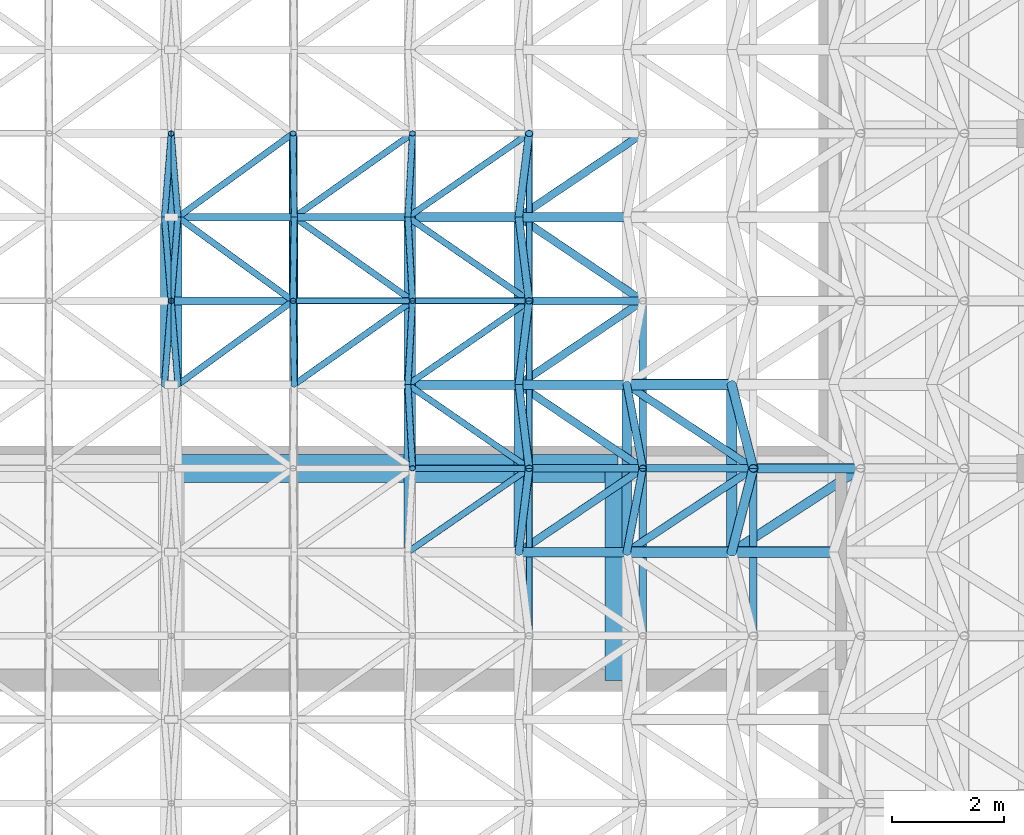
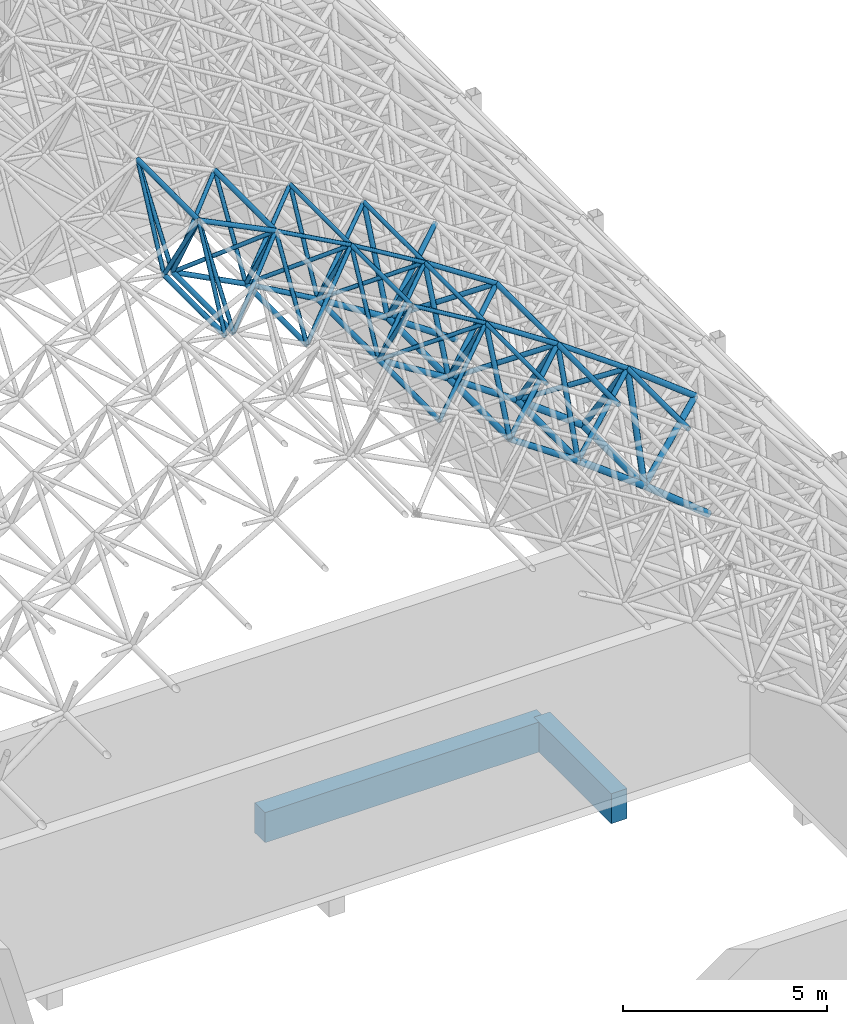
# One storey, part 20 of 141: 78 members, 2 beams.
"""IFC4 building model written with IfcOpenShell, lengths in metres."""

from ifc_helpers import new_model, si_unit, direction, frame, origin, origin_2d, place, context, subcontext, project, spatial, rectangle, hollow_circle, extrude, material, material_profile, profile_set, type_object, element, save


model = new_model("IFC4")

# Units and contexts
model_context = context("Model", 3, precision=1e-05, world=origin(), true_north=direction((0.0, 1.0)))
body_context = subcontext(model_context, "Body", "Model", "MODEL_VIEW")
ifc_project = project(units=[si_unit("LENGTHUNIT", "METRE"), si_unit("AREAUNIT", "SQUARE_METRE"), si_unit("VOLUMEUNIT", "CUBIC_METRE"), si_unit("PLANEANGLEUNIT", "RADIAN"), si_unit("MASSUNIT", "GRAM", prefix="KILO")], contexts=[model_context])

# Site, building, storey
site_placement = place(None, origin())
site = spatial("IfcSite", under=ifc_project, at=site_placement, CompositionType="ELEMENT")
building_placement = place(site_placement, origin())
building = spatial("IfcBuilding", under=site, at=building_placement, Name="Lantern Court Media Centre", CompositionType="ELEMENT")
storey_placement = place(building_placement, frame((0.0, 0.0, 9.60009765625)))
storey = spatial("IfcBuildingStorey", under=building, at=storey_placement, Name="L02", CompositionType="ELEMENT", Elevation=9.60009765625)

# Members
ifc_material_1 = material(Name="Steel S355J2 (EN 10025-2)", Category="steel")
ifc_material_profile_1 = material_profile(ifc_material_1, hollow_circle(Radius=0.06982421875, WallThickness=0.0048828125, at=origin_2d()), Name="Cinema Hall bottom CHS 139.7x5")
ifc_profile_set_1 = profile_set([ifc_material_profile_1], Name="Steel S355J2 (EN 10025-2)")
member_type_1 = type_object("IfcMemberType", Name="Cinema Hall bottom CHS 139.7x5", PredefinedType="CHORD", material=ifc_profile_set_1)
for number, where, z_axis, x_axis, name in (
    (1, (15.87939453125, 17.5, 13.298583984375), (0.0, 1.0, 0.0), (-1.0, 0.0, 0.0), "Cinema Hall bottom chord 08-07"),
    (2, (16.12060546875, 17.5, 13.298583984375), (0.0, 1.0, 0.0), (-1.0, 0.0, 0.0), "Cinema Hall bottom chord 09-07"),
):
    element("IfcMember", number, at=place(storey_placement, frame(where, z_axis=z_axis, x_axis=x_axis)), inside=storey, type_object=member_type_1, Name=name, PredefinedType="CHORD", context=body_context, shape_type="SweptSolid", body=[
        extrude(hollow_circle(Radius=0.06982421875, WallThickness=0.0048828125, at=origin_2d()), origin(), (0.0, 0.0, 1.0), 3.0),
    ])
ifc_material_profile_2 = material_profile(ifc_material_1, hollow_circle(Radius=0.06982421875, WallThickness=0.00634765625, at=origin_2d()), Name="Cinema Hall bottom CHS 139.7x6.3")
ifc_profile_set_2 = profile_set([ifc_material_profile_2], Name="Steel S355J2 (EN 10025-2)")
member_type_2 = type_object("IfcMemberType", Name="Cinema Hall bottom CHS 139.7x6.3", PredefinedType="CHORD", material=ifc_profile_set_2)
for number, where, z_axis, x_axis, name in (
    (3, (20.23974609375, 14.5, 11.04443359375), (0.0, 1.0, 0.0), (-1.0, 0.0, 0.0), "Cinema Hall bottom chord 11-06"),
    (4, (18.203125, 17.5, 12.21337890625), (0.0, 1.0, 0.0), (-1.0, 0.0, 0.0), "Cinema Hall bottom chord 10-07"),
    (5, (20.23974609375, 17.5, 11.04443359375), (0.0, 1.0, 0.0), (-1.0, 0.0, 0.0), "Cinema Hall bottom chord 11-07"),
):
    element("IfcMember", number, at=place(storey_placement, frame(where, z_axis=z_axis, x_axis=x_axis)), inside=storey, type_object=member_type_2, Name=name, PredefinedType="CHORD", context=body_context, shape_type="SweptSolid", body=[
        extrude(hollow_circle(Radius=0.06982421875, WallThickness=0.00634765625, at=origin_2d()), origin(), (0.0, 0.0, 1.0), 3.0),
    ])
member_1_placement = place(storey_placement, frame((16.12060546875, 20.5, 13.298583984375), z_axis=(0.88681645353, 0.0, -0.462121821329), x_axis=(0.0, 1.0, 0.0)))
element("IfcMember", 6, at=member_1_placement, inside=storey, type_object=member_type_2, Name="Cinema Hall bottom chord 09-08 across", PredefinedType="CHORD", context=body_context, shape_type="SweptSolid", body=[
    extrude(hollow_circle(Radius=0.06982421875, WallThickness=0.00634765625, at=origin_2d()), origin(), (0.0, 0.0, 1.0), 2.348388671875),
])
member_2_placement = place(storey_placement, frame((18.203125, 20.5, 12.21337890625), z_axis=(0.867294659253, 0.0, -0.497795112503), x_axis=(0.0, 1.0, 0.0)))
element("IfcMember", 7, at=member_2_placement, inside=storey, type_object=member_type_2, Name="Cinema Hall bottom chord 10-08 across", PredefinedType="CHORD", context=body_context, shape_type="SweptSolid", body=[
    extrude(hollow_circle(Radius=0.06982421875, WallThickness=0.00634765625, at=origin_2d()), origin(), (0.0, 0.0, 1.0), 2.34814453125),
])
ifc_material_profile_3 = material_profile(ifc_material_1, hollow_circle(Radius=0.084228515625, WallThickness=0.00634765625, at=origin_2d()), Name="Cinema Hall bottom CHS 168.3x6.3")
ifc_profile_set_3 = profile_set([ifc_material_profile_3], Name="Steel S355J2 (EN 10025-2)")
member_type_3 = type_object("IfcMemberType", Name="Cinema Hall bottom CHS 168.3x6.3", PredefinedType="CHORD", material=ifc_profile_set_3)
for number, where, z_axis, x_axis, name in (
    (8, (22.227294921875, 14.5, 9.7939453125), (0.0, 1.0, 0.0), (-1.0, 0.0, 0.0), "Cinema Hall bottom chord 12-06"),
    (9, (22.227294921875, 17.5, 9.7939453125), (0.0, 1.0, 0.0), (-1.0, 0.0, 0.0), "Cinema Hall bottom chord 12-07"),
):
    element("IfcMember", number, at=place(storey_placement, frame(where, z_axis=z_axis, x_axis=x_axis)), inside=storey, type_object=member_type_3, Name=name, PredefinedType="CHORD", context=body_context, shape_type="SweptSolid", body=[
        extrude(hollow_circle(Radius=0.084228515625, WallThickness=0.00634765625, at=origin_2d()), origin(), (0.0, 0.0, 1.0), 3.0),
    ])
for number, where, z_axis, x_axis, name in (
    (10, (20.23974609375, 17.5, 11.04443359375), (0.846411623189, 0.0, -0.532529214344), (0.0, 1.0, 0.0), "Cinema Hall bottom chord 11-07 across"),
    (11, (20.23974609375, 20.5, 11.04443359375), (0.846411623189, 0.0, -0.532529214344), (0.0, 1.0, 0.0), "Cinema Hall bottom chord 11-08 across"),
):
    element("IfcMember", number, at=place(storey_placement, frame(where, z_axis=z_axis, x_axis=x_axis)), inside=storey, type_object=member_type_3, Name=name, PredefinedType="CHORD", context=body_context, shape_type="SweptSolid", body=[
        extrude(hollow_circle(Radius=0.084228515625, WallThickness=0.00634765625, at=origin_2d()), origin(), (0.0, 0.0, 1.0), 2.34814453125),
    ])
ifc_material_profile_4 = material_profile(ifc_material_1, hollow_circle(Radius=0.084228515625, WallThickness=0.008056640625, at=origin_2d()), Name="Cinema Hall bottom CHS 168.3x8")
ifc_profile_set_4 = profile_set([ifc_material_profile_4], Name="Steel S355J2 (EN 10025-2)")
member_type_4 = type_object("IfcMemberType", Name="Cinema Hall bottom CHS 168.3x8", PredefinedType="CHORD", material=ifc_profile_set_4)
member_3_placement = place(storey_placement, frame((24.162353515625, 14.5, 8.463623046875), z_axis=(0.0, 1.0, 0.0), x_axis=(-1.0, 0.0, 0.0)))
element("IfcMember", 12, at=member_3_placement, inside=storey, type_object=member_type_4, Name="Cinema Hall bottom chord 13-06", PredefinedType="CHORD", context=body_context, shape_type="SweptSolid", body=[
    extrude(hollow_circle(Radius=0.084228515625, WallThickness=0.008056640625, at=origin_2d()), origin(), (0.0, 0.0, 1.0), 3.0),
])
for number, where, z_axis, x_axis, name in (
    (13, (22.227294921875, 14.5, 9.7939453125), (0.824047991233, 0.0, -0.56651999801), (0.0, 1.0, 0.0), "Cinema Hall bottom chord 12-06 across"),
    (14, (22.227294921875, 17.5, 9.7939453125), (0.824047991233, 0.0, -0.56651999801), (0.0, 1.0, 0.0), "Cinema Hall bottom chord 12-07 across"),
    (15, (22.227294921875, 20.5, 9.7939453125), (0.824047991233, 0.0, -0.56651999801), (0.0, 1.0, 0.0), "Cinema Hall bottom chord 12-08 across"),
):
    element("IfcMember", number, at=place(storey_placement, frame(where, z_axis=z_axis, x_axis=x_axis)), inside=storey, type_object=member_type_4, Name=name, PredefinedType="CHORD", context=body_context, shape_type="SweptSolid", body=[
        extrude(hollow_circle(Radius=0.084228515625, WallThickness=0.008056640625, at=origin_2d()), origin(), (0.0, 0.0, 1.0), 2.34814453125),
    ])
ifc_material_profile_5 = material_profile(ifc_material_1, hollow_circle(Radius=0.096923828125, WallThickness=0.010009765625, at=origin_2d()), Name="Cinema Hall bottom CHS 193.7x10")
ifc_profile_set_5 = profile_set([ifc_material_profile_5], Name="Steel S355J2 (EN 10025-2)")
member_type_5 = type_object("IfcMemberType", Name="Cinema Hall bottom CHS 193.7x10", PredefinedType="CHORD", material=ifc_profile_set_5)
member_4_placement = place(storey_placement, frame((26.041748046875, 14.5, 7.0556640625), z_axis=(0.775340578175, 0.0, -0.63154333805), x_axis=(0.0, 1.0, 0.0)))
element("IfcMember", 16, at=member_4_placement, inside=storey, type_object=member_type_5, Name="Cinema Hall bottom chord 14-06 across", PredefinedType="CHORD", context=body_context, shape_type="SweptSolid", body=[
    extrude(hollow_circle(Radius=0.096923828125, WallThickness=0.010009765625, at=origin_2d()), origin(), (0.0, 0.0, 1.0), 2.34814453125),
])
ifc_material_profile_6 = material_profile(ifc_material_1, hollow_circle(Radius=0.096923828125, WallThickness=0.008056640625, at=origin_2d()), Name="Cinema Hall bottom CHS 193.7x8")
ifc_profile_set_6 = profile_set([ifc_material_profile_6], Name="Steel S355J2 (EN 10025-2)")
member_type_6 = type_object("IfcMemberType", Name="Cinema Hall bottom CHS 193.7x8", PredefinedType="CHORD", material=ifc_profile_set_6)
member_5_placement = place(storey_placement, frame((26.041748046875, 14.5, 7.0556640625), z_axis=(0.0, 1.0, 0.0), x_axis=(-1.0, 0.0, 0.0)))
element("IfcMember", 17, at=member_5_placement, inside=storey, type_object=member_type_6, Name="Cinema Hall bottom chord 14-06", PredefinedType="CHORD", context=body_context, shape_type="SweptSolid", body=[
    extrude(hollow_circle(Radius=0.096923828125, WallThickness=0.008056640625, at=origin_2d()), origin(), (0.0, 0.0, 1.0), 3.0),
])
for number, where, z_axis, x_axis, name in (
    (18, (24.162353515625, 14.5, 8.463623046875), (0.800324254575, 0.0, -0.599567417009), (0.0, 1.0, 0.0), "Cinema Hall bottom chord 13-06 across"),
    (19, (24.162353515625, 17.5, 8.463623046875), (0.800324254575, 0.0, -0.599567417009), (0.0, 1.0, 0.0), "Cinema Hall bottom chord 13-07 across"),
):
    element("IfcMember", number, at=place(storey_placement, frame(where, z_axis=z_axis, x_axis=x_axis)), inside=storey, type_object=member_type_6, Name=name, PredefinedType="CHORD", context=body_context, shape_type="SweptSolid", body=[
        extrude(hollow_circle(Radius=0.096923828125, WallThickness=0.008056640625, at=origin_2d()), origin(), (0.0, 0.0, 1.0), 2.348388671875),
    ])
ifc_material_profile_7 = material_profile(ifc_material_1, hollow_circle(Radius=0.05712890625, WallThickness=0.0048828125, at=origin_2d()), Name="Cinema Hall diagonal CHS 114.3x5")
ifc_profile_set_7 = profile_set([ifc_material_profile_7], Name="Steel S355J2 (EN 10025-2)")
member_type_7 = type_object("IfcMemberType", Name="Cinema Hall diagonal CHS 114.3x5", PredefinedType="BRACE", material=ifc_profile_set_7)
member_6_placement = place(storey_placement, frame((15.87939453125, 17.5, 13.298583984375), z_axis=(0.041317175069, 0.513871910171, 0.85687137365), x_axis=(-0.996783215266, 0.080145004613, 0.0)))
element("IfcMember", 20, at=member_6_placement, inside=storey, type_object=member_type_7, Name="Cinema Hall diagonal 08-07-3", PredefinedType="BRACE", context=body_context, shape_type="SweptSolid", body=[
    extrude(hollow_circle(Radius=0.05712890625, WallThickness=0.0048828125, at=origin_2d()), origin(), (0.0, 0.0, 1.0), 2.9189453125),
])
member_7_placement = place(storey_placement, frame((16.12060546875, 17.5, 13.298583984375), z_axis=(0.706879781117, 0.513851085564, 0.486084392789), x_axis=(-0.587989591395, 0.808868493892, 0.0)))
element("IfcMember", 21, at=member_7_placement, inside=storey, type_object=member_type_7, Name="Cinema Hall diagonal 09-07-3", PredefinedType="BRACE", context=body_context, shape_type="SweptSolid", body=[
    extrude(hollow_circle(Radius=0.05712890625, WallThickness=0.0048828125, at=origin_2d()), origin(), (0.0, 0.0, 1.0), 2.919189453125),
])
for number, where, z_axis, x_axis, name in (
    (22, (16.12060546875, 17.5, 13.298583984375), (-0.041317175069, 0.513871910171, 0.85687137365), (-0.996783215266, -0.080145004613, 0.0), "Cinema Hall diagonal 09-07-4"),
    (23, (15.87939453125, 20.5, 13.298583984375), (0.041317175069, -0.513871910171, 0.85687137365), (0.996783215266, 0.080145004613, 0.0), "Cinema Hall diagonal 08-08-2"),
    (24, (15.87939453125, 20.5, 13.298583984375), (0.041317175069, 0.513871910171, 0.85687137365), (-0.996783215266, 0.080145004613, 0.0), "Cinema Hall diagonal 08-08-3"),
    (25, (16.12060546875, 20.5, 13.298583984375), (-0.041317175069, -0.513871910171, 0.85687137365), (0.996783215266, -0.080145004613, 0.0), "Cinema Hall diagonal 09-08-1"),
):
    element("IfcMember", number, at=place(storey_placement, frame(where, z_axis=z_axis, x_axis=x_axis)), inside=storey, type_object=member_type_7, Name=name, PredefinedType="BRACE", context=body_context, shape_type="SweptSolid", body=[
        extrude(hollow_circle(Radius=0.05712890625, WallThickness=0.0048828125, at=origin_2d()), origin(), (0.0, 0.0, 1.0), 2.9189453125),
    ])
for number, where, z_axis, x_axis, name in (
    (26, (16.12060546875, 20.5, 13.298583984375), (0.706879781117, -0.513851085564, 0.486084392789), (0.587989591395, 0.808868493892, 0.0), "Cinema Hall diagonal 09-08-2"),
    (27, (16.12060546875, 20.5, 13.298583984375), (0.706879781117, 0.513851085564, 0.486084392789), (-0.587989591395, 0.808868493892, 0.0), "Cinema Hall diagonal 09-08-3"),
):
    element("IfcMember", number, at=place(storey_placement, frame(where, z_axis=z_axis, x_axis=x_axis)), inside=storey, type_object=member_type_7, Name=name, PredefinedType="BRACE", context=body_context, shape_type="SweptSolid", body=[
        extrude(hollow_circle(Radius=0.05712890625, WallThickness=0.0048828125, at=origin_2d()), origin(), (0.0, 0.0, 1.0), 2.919189453125),
    ])
member_8_placement = place(storey_placement, frame((16.12060546875, 20.5, 13.298583984375), z_axis=(-0.041317175069, 0.513871910171, 0.85687137365), x_axis=(-0.996783215266, -0.080145004613, 0.0)))
element("IfcMember", 28, at=member_8_placement, inside=storey, type_object=member_type_7, Name="Cinema Hall diagonal 09-08-4", PredefinedType="BRACE", context=body_context, shape_type="SweptSolid", body=[
    extrude(hollow_circle(Radius=0.05712890625, WallThickness=0.0048828125, at=origin_2d()), origin(), (0.0, 0.0, 1.0), 2.9189453125),
])
ifc_material_profile_8 = material_profile(ifc_material_1, hollow_circle(Radius=0.05712890625, WallThickness=0.00634765625, at=origin_2d()), Name="Cinema Hall diagonal CHS 114.3x6.3")
ifc_profile_set_8 = profile_set([ifc_material_profile_8], Name="Steel S355J2 (EN 10025-2)")
member_type_8 = type_object("IfcMemberType", Name="Cinema Hall diagonal CHS 114.3x6.3", PredefinedType="BRACE", material=ifc_profile_set_8)
for number, where, z_axis, x_axis, name in (
    (29, (20.23974609375, 14.5, 11.04443359375), (0.744001537395, 0.513842788417, 0.427115091218), (-0.568286154794, 0.822830994962, 0.0), "Cinema Hall diagonal 11-06-3"),
    (30, (18.203125, 17.5, 12.21337890625), (0.726033609038, 0.513852147671, 0.456980490702), (-0.577701627838, 0.816248019411, 0.0), "Cinema Hall diagonal 10-07-3"),
    (31, (18.203125, 17.5, 12.21337890625), (-0.006523580306, 0.513857402591, 0.857850810283), (-0.99991942426, -0.012694289566, 0.0), "Cinema Hall diagonal 10-07-4"),
    (32, (20.23974609375, 17.5, 11.04443359375), (0.028351859734, -0.513846095007, 0.857413763999), (0.998481283351, 0.055091984872, 0.0), "Cinema Hall diagonal 11-07-1"),
    (33, (20.23974609375, 17.5, 11.04443359375), (0.744001537395, -0.513842788417, 0.427115091218), (0.568286154794, 0.822830994962, 0.0), "Cinema Hall diagonal 11-07-2"),
    (34, (20.23974609375, 17.5, 11.04443359375), (0.744001537395, 0.513842788417, 0.427115091218), (-0.568286154794, 0.822830994962, 0.0), "Cinema Hall diagonal 11-07-3"),
    (35, (20.23974609375, 17.5, 11.04443359375), (0.028351859734, 0.513846095007, 0.857413763999), (-0.998481283351, 0.055091984872, 0.0), "Cinema Hall diagonal 11-07-4"),
    (36, (18.203125, 20.5, 12.21337890625), (-0.006523580306, -0.513857402591, 0.857850810283), (0.99991942426, -0.012694289566, 0.0), "Cinema Hall diagonal 10-08-1"),
    (37, (18.203125, 20.5, 12.21337890625), (0.726033609038, -0.513852147671, 0.456980490702), (0.577701627838, 0.816248019411, 0.0), "Cinema Hall diagonal 10-08-2"),
    (38, (18.203125, 20.5, 12.21337890625), (0.726033609038, 0.513852147671, 0.456980490702), (-0.577701627838, 0.816248019411, 0.0), "Cinema Hall diagonal 10-08-3"),
    (39, (18.203125, 20.5, 12.21337890625), (-0.006523580306, 0.513857402591, 0.857850810283), (-0.99991942426, -0.012694289566, 0.0), "Cinema Hall diagonal 10-08-4"),
    (40, (20.23974609375, 20.5, 11.04443359375), (0.028351859734, -0.513846095007, 0.857413763999), (0.998481283351, 0.055091984872, 0.0), "Cinema Hall diagonal 11-08-1"),
    (41, (20.23974609375, 20.5, 11.04443359375), (0.744001537395, -0.513842788417, 0.427115091218), (0.568286154794, 0.822830994962, 0.0), "Cinema Hall diagonal 11-08-2"),
    (42, (20.23974609375, 20.5, 11.04443359375), (0.744001537395, 0.513842788417, 0.427115091218), (-0.568286154794, 0.822830994962, 0.0), "Cinema Hall diagonal 11-08-3"),
    (43, (20.23974609375, 20.5, 11.04443359375), (0.028351859734, 0.513846095007, 0.857413763999), (-0.998481283351, 0.055091984872, 0.0), "Cinema Hall diagonal 11-08-4"),
):
    element("IfcMember", number, at=place(storey_placement, frame(where, z_axis=z_axis, x_axis=x_axis)), inside=storey, type_object=member_type_8, Name=name, PredefinedType="BRACE", context=body_context, shape_type="SweptSolid", body=[
        extrude(hollow_circle(Radius=0.05712890625, WallThickness=0.00634765625, at=origin_2d()), origin(), (0.0, 0.0, 1.0), 2.919189453125),
    ])
ifc_material_profile_9 = material_profile(ifc_material_1, hollow_circle(Radius=0.06982421875, WallThickness=0.00634765625, at=origin_2d()), Name="Cinema Hall diagonal CHS 139.7x6.3")
ifc_profile_set_9 = profile_set([ifc_material_profile_9], Name="Steel S355J2 (EN 10025-2)")
member_type_9 = type_object("IfcMemberType", Name="Cinema Hall diagonal CHS 139.7x6.3", PredefinedType="BRACE", material=ifc_profile_set_9)
member_9_placement = place(storey_placement, frame((22.227294921875, 14.5, 9.7939453125), z_axis=(0.760744068819, 0.513853513503, 0.396513591718), x_axis=(-0.559735691147, 0.828671199003, 0.0)))
element("IfcMember", 44, at=member_9_placement, inside=storey, type_object=member_type_9, Name="Cinema Hall diagonal 12-06-3", PredefinedType="BRACE", context=body_context, shape_type="SweptSolid", body=[
    extrude(hollow_circle(Radius=0.06982421875, WallThickness=0.00634765625, at=origin_2d()), origin(), (0.0, 0.0, 1.0), 2.919189453125),
])
for number, where, z_axis, x_axis, name in (
    (45, (22.227294921875, 14.5, 9.7939453125), (0.063147046974, 0.513874776966, 0.855537938409), (-0.992534194664, 0.121966685705, 0.0), "Cinema Hall diagonal 12-06-4"),
    (46, (22.227294921875, 17.5, 9.7939453125), (0.063147046974, -0.513874776966, 0.855537938409), (0.992534194664, 0.121966685705, 0.0), "Cinema Hall diagonal 12-07-1"),
):
    element("IfcMember", number, at=place(storey_placement, frame(where, z_axis=z_axis, x_axis=x_axis)), inside=storey, type_object=member_type_9, Name=name, PredefinedType="BRACE", context=body_context, shape_type="SweptSolid", body=[
        extrude(hollow_circle(Radius=0.06982421875, WallThickness=0.00634765625, at=origin_2d()), origin(), (0.0, 0.0, 1.0), 2.9189453125),
    ])
for number, where, z_axis, x_axis, name in (
    (47, (22.227294921875, 17.5, 9.7939453125), (0.760744068819, -0.513853513503, 0.396513591718), (0.559735691147, 0.828671199003, 0.0), "Cinema Hall diagonal 12-07-2"),
    (48, (22.227294921875, 17.5, 9.7939453125), (0.760744068819, 0.513853513503, 0.396513591718), (-0.559735691147, 0.828671199003, 0.0), "Cinema Hall diagonal 12-07-3"),
):
    element("IfcMember", number, at=place(storey_placement, frame(where, z_axis=z_axis, x_axis=x_axis)), inside=storey, type_object=member_type_9, Name=name, PredefinedType="BRACE", context=body_context, shape_type="SweptSolid", body=[
        extrude(hollow_circle(Radius=0.06982421875, WallThickness=0.00634765625, at=origin_2d()), origin(), (0.0, 0.0, 1.0), 2.919189453125),
    ])
for number, where, z_axis, x_axis, name in (
    (49, (22.227294921875, 17.5, 9.7939453125), (0.063147046974, 0.513874776966, 0.855537938409), (-0.992534194664, 0.121966685705, 0.0), "Cinema Hall diagonal 12-07-4"),
    (50, (22.227294921875, 20.5, 9.7939453125), (0.063147046974, -0.513874776966, 0.855537938409), (0.992534194664, 0.121966685705, 0.0), "Cinema Hall diagonal 12-08-1"),
):
    element("IfcMember", number, at=place(storey_placement, frame(where, z_axis=z_axis, x_axis=x_axis)), inside=storey, type_object=member_type_9, Name=name, PredefinedType="BRACE", context=body_context, shape_type="SweptSolid", body=[
        extrude(hollow_circle(Radius=0.06982421875, WallThickness=0.00634765625, at=origin_2d()), origin(), (0.0, 0.0, 1.0), 2.9189453125),
    ])
for number, where, z_axis, x_axis, name in (
    (51, (22.227294921875, 20.5, 9.7939453125), (0.760744068819, -0.513853513503, 0.396513591718), (0.559735691147, 0.828671199003, 0.0), "Cinema Hall diagonal 12-08-2"),
    (52, (22.227294921875, 20.5, 9.7939453125), (0.760744068819, 0.513853513503, 0.396513591718), (-0.559735691147, 0.828671199003, 0.0), "Cinema Hall diagonal 12-08-3"),
):
    element("IfcMember", number, at=place(storey_placement, frame(where, z_axis=z_axis, x_axis=x_axis)), inside=storey, type_object=member_type_9, Name=name, PredefinedType="BRACE", context=body_context, shape_type="SweptSolid", body=[
        extrude(hollow_circle(Radius=0.06982421875, WallThickness=0.00634765625, at=origin_2d()), origin(), (0.0, 0.0, 1.0), 2.919189453125),
    ])
member_10_placement = place(storey_placement, frame((22.227294921875, 20.5, 9.7939453125), z_axis=(0.063147046974, 0.513874776966, 0.855537938409), x_axis=(-0.992534194664, 0.121966685705, 0.0)))
element("IfcMember", 53, at=member_10_placement, inside=storey, type_object=member_type_9, Name="Cinema Hall diagonal 12-08-4", PredefinedType="BRACE", context=body_context, shape_type="SweptSolid", body=[
    extrude(hollow_circle(Radius=0.06982421875, WallThickness=0.00634765625, at=origin_2d()), origin(), (0.0, 0.0, 1.0), 2.9189453125),
])
ifc_material_profile_10 = material_profile(ifc_material_1, hollow_circle(Radius=0.06982421875, WallThickness=0.008056640625, at=origin_2d()), Name="Cinema Hall diagonal CHS 139.7x8")
ifc_profile_set_10 = profile_set([ifc_material_profile_10], Name="Steel S355J2 (EN 10025-2)")
member_type_10 = type_object("IfcMemberType", Name="Cinema Hall diagonal CHS 139.7x8", PredefinedType="BRACE", material=ifc_profile_set_10)
member_11_placement = place(storey_placement, frame((24.162353515625, 14.5, 8.463623046875), z_axis=(0.776210877705, 0.513849761084, 0.365315064521), x_axis=(-0.552001963744, 0.833842810141, 0.0)))
element("IfcMember", 54, at=member_11_placement, inside=storey, type_object=member_type_10, Name="Cinema Hall diagonal 13-06-3", PredefinedType="BRACE", context=body_context, shape_type="SweptSolid", body=[
    extrude(hollow_circle(Radius=0.06982421875, WallThickness=0.008056640625, at=origin_2d()), origin(), (0.0, 0.0, 1.0), 2.919189453125),
])
for number, where, z_axis, x_axis, name in (
    (55, (24.162353515625, 14.5, 8.463623046875), (0.09785614588, 0.51387022247, 0.852268484207), (-0.982346962135, 0.187068025016, 0.0), "Cinema Hall diagonal 13-06-4"),
    (56, (24.162353515625, 17.5, 8.463623046875), (0.09785614588, -0.51387022247, 0.852268484207), (0.982346962135, 0.187068025016, 0.0), "Cinema Hall diagonal 13-07-1"),
):
    element("IfcMember", number, at=place(storey_placement, frame(where, z_axis=z_axis, x_axis=x_axis)), inside=storey, type_object=member_type_10, Name=name, PredefinedType="BRACE", context=body_context, shape_type="SweptSolid", body=[
        extrude(hollow_circle(Radius=0.06982421875, WallThickness=0.008056640625, at=origin_2d()), origin(), (0.0, 0.0, 1.0), 2.9189453125),
    ])
member_12_placement = place(storey_placement, frame((24.162353515625, 17.5, 8.463623046875), z_axis=(0.776210877705, -0.513849761084, 0.365315064521), x_axis=(0.552001963744, 0.833842810141, 0.0)))
element("IfcMember", 57, at=member_12_placement, inside=storey, type_object=member_type_10, Name="Cinema Hall diagonal 13-07-2", PredefinedType="BRACE", context=body_context, shape_type="SweptSolid", body=[
    extrude(hollow_circle(Radius=0.06982421875, WallThickness=0.008056640625, at=origin_2d()), origin(), (0.0, 0.0, 1.0), 2.919189453125),
])
ifc_material_profile_11 = material_profile(ifc_material_1, hollow_circle(Radius=0.084228515625, WallThickness=0.008056640625, at=origin_2d()), Name="Cinema Hall diagonal CHS 168.3x8")
ifc_profile_set_11 = profile_set([ifc_material_profile_11], Name="Steel S355J2 (EN 10025-2)")
member_type_11 = type_object("IfcMemberType", Name="Cinema Hall diagonal CHS 168.3x8", PredefinedType="BRACE", material=ifc_profile_set_11)
member_13_placement = place(storey_placement, frame((26.041748046875, 14.5, 7.0556640625), z_axis=(0.790394065187, 0.513881601747, 0.333471019884), x_axis=(-0.545081898441, 0.838382802777, 0.0)))
element("IfcMember", 58, at=member_13_placement, inside=storey, type_object=member_type_11, Name="Cinema Hall diagonal 14-06-3", PredefinedType="BRACE", context=body_context, shape_type="SweptSolid", body=[
    extrude(hollow_circle(Radius=0.084228515625, WallThickness=0.008056640625, at=origin_2d()), origin(), (0.0, 0.0, 1.0), 2.9189453125),
])
for number, where, z_axis, x_axis, name in (
    (59, (26.041748046875, 14.5, 7.0556640625), (0.132389678542, 0.513835871739, 0.847611744804), (-0.968374432366, 0.249501420318, 0.0), "Cinema Hall diagonal 14-06-4"),
    (60, (26.041748046875, 17.5, 7.0556640625), (0.132389678542, -0.513835871739, 0.847611744804), (0.968374432366, 0.249501420318, 0.0), "Cinema Hall diagonal 14-07-1"),
):
    element("IfcMember", number, at=place(storey_placement, frame(where, z_axis=z_axis, x_axis=x_axis)), inside=storey, type_object=member_type_11, Name=name, PredefinedType="BRACE", context=body_context, shape_type="SweptSolid", body=[
        extrude(hollow_circle(Radius=0.084228515625, WallThickness=0.008056640625, at=origin_2d()), origin(), (0.0, 0.0, 1.0), 2.919189453125),
    ])
ifc_material_profile_12 = material_profile(ifc_material_1, hollow_circle(Radius=0.05712890625, WallThickness=0.00634765625, at=origin_2d()), Name="Cinema Hall top CHS 114.3x6.3")
ifc_profile_set_12 = profile_set([ifc_material_profile_12], Name="Steel S355J2 (EN 10025-2)")
member_type_12 = type_object("IfcMemberType", Name="Cinema Hall top CHS 114.3x6.3", PredefinedType="CHORD", material=ifc_profile_set_12)
for number, where, z_axis, x_axis, name in (
    (61, (22.41162109375, 13.0, 12.291259765625), (0.0, 1.0, 0.0), (-1.0, 0.0, 0.0), "Cinema Hall top chord 12-06"),
    (62, (20.322509765625, 16.0, 13.54736328125), (0.0, 1.0, 0.0), (-1.0, 0.0, 0.0), "Cinema Hall top chord 11-07"),
    (63, (22.41162109375, 16.0, 12.291259765625), (0.0, 1.0, 0.0), (-1.0, 0.0, 0.0), "Cinema Hall top chord 12-07"),
    (64, (20.322509765625, 19.0, 13.54736328125), (0.0, 1.0, 0.0), (-1.0, 0.0, 0.0), "Cinema Hall top chord 11-08"),
    (65, (22.41162109375, 19.0, 12.291259765625), (0.0, 1.0, 0.0), (-1.0, 0.0, 0.0), "Cinema Hall top chord 12-08"),
):
    element("IfcMember", number, at=place(storey_placement, frame(where, z_axis=z_axis, x_axis=x_axis)), inside=storey, type_object=member_type_12, Name=name, PredefinedType="CHORD", context=body_context, shape_type="SweptSolid", body=[
        extrude(hollow_circle(Radius=0.05712890625, WallThickness=0.00634765625, at=origin_2d()), origin(), (0.0, 0.0, 1.0), 3.0),
    ])
for number, where, z_axis, x_axis, name in (
    (66, (20.322509765625, 16.0, 13.54736328125), (0.857015353865, 0.0, -0.515290872459), (0.0, 1.0, 0.0), "Cinema Hall top chord 11-07 across"),
    (67, (18.18408203125, 19.0, 14.717529296875), (0.87724791815, 0.0, -0.480037592384), (0.0, 1.0, 0.0), "Cinema Hall top chord 10-08 across"),
    (68, (20.322509765625, 19.0, 13.54736328125), (0.857015353865, 0.0, -0.515290872459), (0.0, 1.0, 0.0), "Cinema Hall top chord 11-08 across"),
):
    element("IfcMember", number, at=place(storey_placement, frame(where, z_axis=z_axis, x_axis=x_axis)), inside=storey, type_object=member_type_12, Name=name, PredefinedType="CHORD", context=body_context, shape_type="SweptSolid", body=[
        extrude(hollow_circle(Radius=0.05712890625, WallThickness=0.00634765625, at=origin_2d()), origin(), (0.0, 0.0, 1.0), 2.437744140625),
    ])
ifc_material_profile_13 = material_profile(ifc_material_1, hollow_circle(Radius=0.06982421875, WallThickness=0.0048828125, at=origin_2d()), Name="Cinema Hall top CHS 139.7x5")
ifc_profile_set_13 = profile_set([ifc_material_profile_13], Name="Steel S355J2 (EN 10025-2)")
member_type_13 = type_object("IfcMemberType", Name="Cinema Hall top CHS 139.7x5", PredefinedType="CHORD", material=ifc_profile_set_13)
for number, where, z_axis, x_axis, name in (
    (69, (16.0, 19.0, 15.7998046875), (0.0, 1.0, 0.0), (-1.0, 0.0, 0.0), "Cinema Hall top chord 09-08"),
    (70, (18.18408203125, 19.0, 14.717529296875), (0.0, 1.0, 0.0), (-1.0, 0.0, 0.0), "Cinema Hall top chord 10-08"),
):
    element("IfcMember", number, at=place(storey_placement, frame(where, z_axis=z_axis, x_axis=x_axis)), inside=storey, type_object=member_type_13, Name=name, PredefinedType="CHORD", context=body_context, shape_type="SweptSolid", body=[
        extrude(hollow_circle(Radius=0.06982421875, WallThickness=0.0048828125, at=origin_2d()), origin(), (0.0, 0.0, 1.0), 3.0),
    ])
member_14_placement = place(storey_placement, frame((16.0, 19.0, 15.7998046875), z_axis=(0.896023995237, 0.0, -0.444005630549), x_axis=(0.0, 1.0, 0.0)))
element("IfcMember", 71, at=member_14_placement, inside=storey, type_object=member_type_13, Name="Cinema Hall top chord 09-08 across", PredefinedType="CHORD", context=body_context, shape_type="SweptSolid", body=[
    extrude(hollow_circle(Radius=0.06982421875, WallThickness=0.0048828125, at=origin_2d()), origin(), (0.0, 0.0, 1.0), 2.4375),
])
ifc_material_profile_14 = material_profile(ifc_material_1, hollow_circle(Radius=0.06982421875, WallThickness=0.00634765625, at=origin_2d()), Name="Cinema Hall top CHS 139.7x6.3")
ifc_profile_set_14 = profile_set([ifc_material_profile_14], Name="Steel S355J2 (EN 10025-2)")
member_type_14 = type_object("IfcMemberType", Name="Cinema Hall top CHS 139.7x6.3", PredefinedType="CHORD", material=ifc_profile_set_14)
for number, where, z_axis, x_axis, name in (
    (72, (24.447998046875, 13.0, 10.951416015625), (0.0, 1.0, 0.0), (-1.0, 0.0, 0.0), "Cinema Hall top chord 13-06"),
    (73, (24.447998046875, 16.0, 10.951416015625), (0.0, 1.0, 0.0), (-1.0, 0.0, 0.0), "Cinema Hall top chord 13-07"),
):
    element("IfcMember", number, at=place(storey_placement, frame(where, z_axis=z_axis, x_axis=x_axis)), inside=storey, type_object=member_type_14, Name=name, PredefinedType="CHORD", context=body_context, shape_type="SweptSolid", body=[
        extrude(hollow_circle(Radius=0.06982421875, WallThickness=0.00634765625, at=origin_2d()), origin(), (0.0, 0.0, 1.0), 3.0),
    ])
for number, where, z_axis, x_axis, name in (
    (74, (22.41162109375, 16.0, 12.291259765625), (0.835394087943, 0.0, -0.549651451221), (0.0, 1.0, 0.0), "Cinema Hall top chord 12-07 across"),
    (75, (22.41162109375, 19.0, 12.291259765625), (0.835394087943, 0.0, -0.549651451221), (0.0, 1.0, 0.0), "Cinema Hall top chord 12-08 across"),
):
    element("IfcMember", number, at=place(storey_placement, frame(where, z_axis=z_axis, x_axis=x_axis)), inside=storey, type_object=member_type_14, Name=name, PredefinedType="CHORD", context=body_context, shape_type="SweptSolid", body=[
        extrude(hollow_circle(Radius=0.06982421875, WallThickness=0.00634765625, at=origin_2d()), origin(), (0.0, 0.0, 1.0), 2.437744140625),
    ])
ifc_material_profile_15 = material_profile(ifc_material_1, hollow_circle(Radius=0.06982421875, WallThickness=0.008056640625, at=origin_2d()), Name="Cinema Hall top CHS 139.7x8")
ifc_profile_set_15 = profile_set([ifc_material_profile_15], Name="Steel S355J2 (EN 10025-2)")
member_type_15 = type_object("IfcMemberType", Name="Cinema Hall top CHS 139.7x8", PredefinedType="CHORD", material=ifc_profile_set_15)
member_15_placement = place(storey_placement, frame((26.42822265625, 13.0, 9.530029296875), z_axis=(0.0, 1.0, 0.0), x_axis=(-1.0, 0.0, 0.0)))
element("IfcMember", 76, at=member_15_placement, inside=storey, type_object=member_type_15, Name="Cinema Hall top chord 14-06", PredefinedType="CHORD", context=body_context, shape_type="SweptSolid", body=[
    extrude(hollow_circle(Radius=0.06982421875, WallThickness=0.008056640625, at=origin_2d()), origin(), (0.0, 0.0, 1.0), 3.0),
])
member_16_placement = place(storey_placement, frame((24.447998046875, 16.0, 10.951416015625), z_axis=(0.812384562891, 0.0, -0.583122047239), x_axis=(0.0, 1.0, 0.0)))
element("IfcMember", 77, at=member_16_placement, inside=storey, type_object=member_type_15, Name="Cinema Hall top chord 13-07 across", PredefinedType="CHORD", context=body_context, shape_type="SweptSolid", body=[
    extrude(hollow_circle(Radius=0.06982421875, WallThickness=0.008056640625, at=origin_2d()), origin(), (0.0, 0.0, 1.0), 2.4375),
])
ifc_material_profile_16 = material_profile(ifc_material_1, hollow_circle(Radius=0.084228515625, WallThickness=0.008056640625, at=origin_2d()), Name="Cinema Hall top CHS 168.3x8")
ifc_profile_set_16 = profile_set([ifc_material_profile_16], Name="Steel S355J2 (EN 10025-2)")
member_type_16 = type_object("IfcMemberType", Name="Cinema Hall top CHS 168.3x8", PredefinedType="CHORD", material=ifc_profile_set_16)
member_17_placement = place(storey_placement, frame((26.42822265625, 16.0, 9.530029296875), z_axis=(0.787931739718, 0.0, -0.615762595117), x_axis=(0.0, 1.0, 0.0)))
element("IfcMember", 78, at=member_17_placement, inside=storey, type_object=member_type_16, Name="Cinema Hall top chord 14-07 across", PredefinedType="CHORD", context=body_context, shape_type="SweptSolid", body=[
    extrude(hollow_circle(Radius=0.084228515625, WallThickness=0.008056640625, at=origin_2d()), origin(), (0.0, 0.0, 1.0), 2.4375),
])

# Beams
ifc_material_2 = material(Name="Concrete C35", Category="concrete")
ifc_material_profile_17 = material_profile(ifc_material_2, rectangle(XDim=0.449951171875, YDim=0.89990234375, at=origin_2d()), Name="RC 450x900")
ifc_profile_set_17 = profile_set([ifc_material_profile_17], Name="Concrete C35")
beam_type_1 = type_object("IfcBeamType", Name="RC BEAM 450x900", PredefinedType="BEAM", material=ifc_profile_set_17)
beam_1_placement = place(storey_placement, frame((24.0, 12.199951171875, -0.4501953125), z_axis=(0.0, 1.0, 0.0), x_axis=(-1.0, 0.0, 0.0)))
element("IfcBeam", 79, at=beam_1_placement, inside=storey, type_object=beam_type_1, Name="HB-V1-L02-FY3-2", PredefinedType="BEAM", context=body_context, shape_type="SweptSolid", body=[
    extrude(rectangle(XDim=0.449951171875, YDim=0.89990234375, at=origin_2d()), origin(), (0.0, 0.0, 1.0), 3.800048828125),
])
ifc_material_profile_18 = material_profile(ifc_material_2, rectangle(XDim=0.5, YDim=0.89990234375, at=origin_2d()), Name="RC 500x900")
ifc_profile_set_18 = profile_set([ifc_material_profile_18], Name="Concrete C35")
beam_type_2 = type_object("IfcBeamType", Name="RC BEAM 500x900", PredefinedType="BEAM", material=ifc_profile_set_18)
beam_2_placement = place(storey_placement, frame((16.0, 16.0, -0.4501953125), z_axis=(1.0, 0.0, 0.0), x_axis=(0.0, 1.0, 0.0)))
element("IfcBeam", 80, at=beam_2_placement, inside=storey, type_object=beam_type_2, Name="HB-V1-L02-FX3-2", PredefinedType="BEAM", context=body_context, shape_type="SweptSolid", body=[
    extrude(rectangle(XDim=0.5, YDim=0.89990234375, at=origin_2d()), origin(), (0.0, 0.0, 1.0), 8.0),
])

save(model, "model.ifc")
